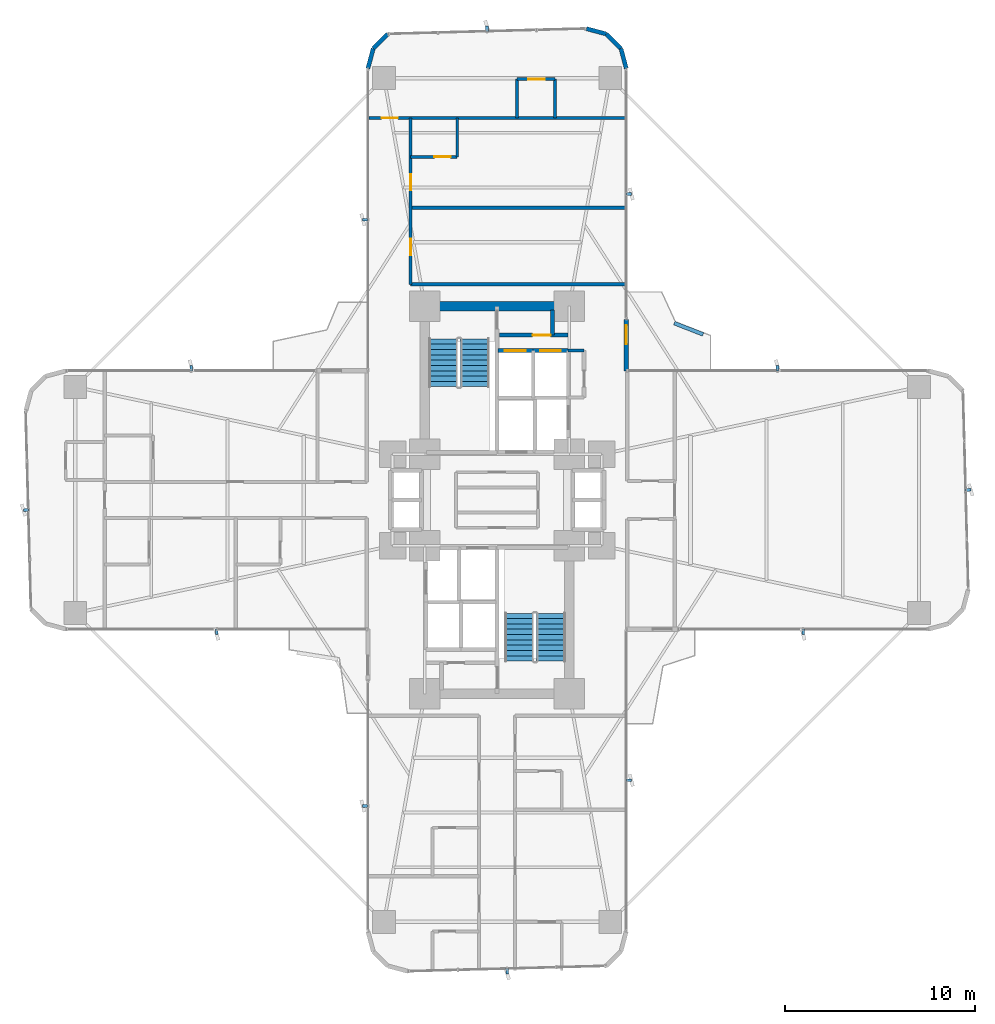
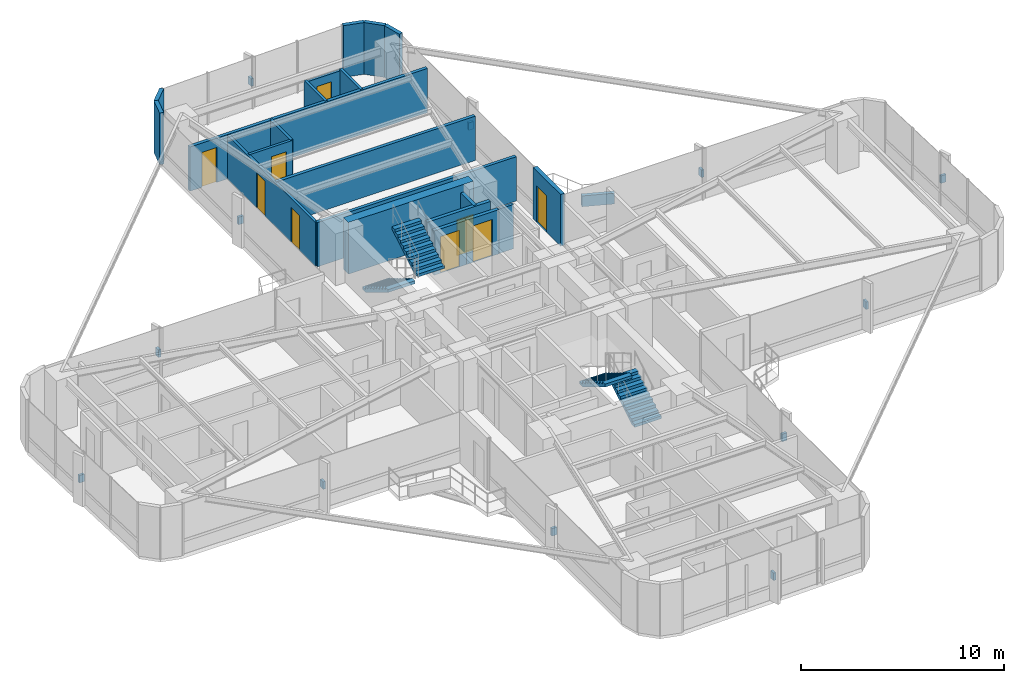
# One storey, part 24 of 25: 22 walls, 12 discrete accessories, 9 doors, 4 stair flights, 9 openings, 2 elements without a shape of their own.
"""IFC4 building model written with IfcOpenShell, lengths in metres."""

from ifc_helpers import new_model, si_unit, direction, frame, frame_2d, origin, origin_2d, place, context, subcontext, project, spatial, polyline, rectangle, outline, extrude, source, transform, mapped, material, layer, layer_set, type_object, element, fill, aggregate, save


model = new_model("IFC4")

# Units and contexts
model_context = context("Model", 3, precision=1e-05, world=origin(), true_north=direction((0.0, 1.0)))
body_context = subcontext(model_context, "Body", "Model", "MODEL_VIEW")
ifc_project = project(units=[si_unit("LENGTHUNIT", "METRE"), si_unit("AREAUNIT", "SQUARE_METRE"), si_unit("VOLUMEUNIT", "CUBIC_METRE"), si_unit("PLANEANGLEUNIT", "RADIAN"), si_unit("MASSUNIT", "GRAM", prefix="KILO")], contexts=[model_context])

# Site, building, storey
site_placement = place(None, origin())
site = spatial("IfcSite", under=ifc_project, at=site_placement, CompositionType="ELEMENT")
building_placement = place(site_placement, origin())
building = spatial("IfcBuilding", under=site, at=building_placement, Name="Sahyath Konkavel Grand Hotel", CompositionType="ELEMENT")
storey_placement = place(building_placement, frame((0.0, 0.0, 67.800048828125)))
storey = spatial("IfcBuildingStorey", under=building, at=storey_placement, Name="L18", CompositionType="ELEMENT", Elevation=67.800048828125)

# Wall
ifc_material_1 = material(Name="Concrete C70/85", Category="concrete")
ifc_layer_1 = layer(ifc_material_1, 0.5)
ifc_layer_set_1 = layer_set([ifc_layer_1], Name="Concrete C70/85")
wall_type_1 = type_object("IfcWallType", Name="CWALL-500", PredefinedType="SHEAR", material=ifc_layer_set_1)
wall_1_placement = place(storey_placement, frame((-3.550048828125, 10.199951171875, 0.0), z_axis=(0.0, 0.0, 1.0), x_axis=(1.0, 0.0, 0.0)))
element("IfcWall", 1, at=wall_1_placement, inside=storey, type_object=wall_type_1, Name="L18 North Core Shear Wall N", PredefinedType="SHEAR", context=body_context, shape_type="SweptSolid", body=[
    extrude(rectangle(XDim=7.10009765625, YDim=0.5, at=frame_2d((3.550048828125, 0.0))), origin(), (0.0, 0.0, 1.0), 3.10986328125),
])

# Wall, opening, door
ifc_material_2 = material(Name="Warm Buff Sandstone Insulated Concrete C40/50", Category="masonry")
ifc_layer_2 = layer(ifc_material_2, 0.219970703125)
ifc_layer_set_2 = layer_set([ifc_layer_2], Name="Warm Buff Sandstone Insulated Concrete C40/50")
wall_type_2 = type_object("IfcWallType", Name="WLL-BALC-THRESH", PredefinedType="STANDARD", material=ifc_layer_set_2)
wall_2_placement = place(storey_placement, frame((6.800048828125, 6.800048828125, 0.0), z_axis=(0.0, 0.0, 1.0), x_axis=(0.0, 1.0, 0.0)))
wall_2 = element("IfcWall", 2, at=wall_2_placement, inside=storey, type_object=wall_type_2, Name="L18 Winter-Garden Threshold Wall 8", PredefinedType="STANDARD", context=body_context, shape_type="SweptSolid", body=[
    extrude(rectangle(XDim=2.699951171875, YDim=0.219970703125, at=frame_2d((1.35009765625, 0.0))), origin(), (0.0, 0.0, 1.0), 3.10986328125),
])
opening_1_placement = place(wall_2_placement, frame((1.39990234375, 0.0, 0.0)))
opening_1 = element("IfcOpeningElement", 3, at=opening_1_placement, cuts=wall_2, Name="Opening D-TR1", PredefinedType="OPENING", context=body_context, shape_type="SweptSolid", body=[
    extrude(rectangle(XDim=1.0, YDim=2.199951171875, at=frame_2d((0.5, 1.10009765625))), frame((0.0, 0.1201171875, 0.0), z_axis=(0.0, -1.0, 0.0), x_axis=(1.0, 0.0, 0.0)), (0.0, 0.0, 1.0), 0.239990234375),
])
ifc_material_3 = material(Name="Anodised Bronze Aluminium & Low-E Glazing", Category="aluminium")
door_type_1 = type_object("IfcDoorType", Name="DR-TERRACE-1000", OperationType="NOTDEFINED", PredefinedType="DOOR", material=ifc_material_3)
shared_shape_1 = source(origin(), body_context, "Body", "SweptSolid", [
    extrude(rectangle(XDim=1.0, YDim=0.050048828125, at=origin_2d()), origin(), (0.0, 0.0, 1.0), 2.199951171875),
])
door_1_placement = place(opening_1_placement, frame((0.5, 0.0, 0.0)))
door_1 = element("IfcDoor", 4, at=door_1_placement, inside=storey, type_object=door_type_1, Name="L18 Winter-Garden Terrace Door 8", OperationType="SINGLE_SWING_LEFT", OverallHeight=2.199951171875, OverallWidth=1.0, PredefinedType="DOOR", context=body_context, shape_type="MappedRepresentation", body=[
    mapped(shared_shape_1, transform((0.0, 0.0, 0.0), scale=1.0)),
])
fill(opening_1, door_1)

# Walls
for number, where, z_axis, x_axis, name in (
    (5, (6.800048828125, 22.699951171875, 0.0), (0.0, 0.0, 1.0), (-0.25872485917, 0.965951058412, 0.0), "L18 Rounded Corner Sandstone Pier 9"),
    (6, (6.518798828125, 23.75, 0.0), (0.0, 0.0, 1.0), (-0.707106781187, 0.707106781187, 0.0), "L18 Rounded Corner Sandstone Pier 10"),
    (7, (5.75, 24.518798828125, 0.0), (0.0, 0.0, 1.0), (-0.965951058412, 0.25872485917, 0.0), "L18 Rounded Corner Sandstone Pier 11"),
    (8, (-5.75, 24.518798828125, 0.0), (0.0, 0.0, 1.0), (-0.707106781187, -0.707106781187, 0.0), "L18 Rounded Corner Sandstone Pier 13"),
    (9, (-6.518798828125, 23.75, 0.0), (0.0, 0.0, 1.0), (-0.25872485917, -0.965951058412, 0.0), "L18 Rounded Corner Sandstone Pier 14"),
):
    element("IfcWall", number, at=place(storey_placement, frame(where, z_axis=z_axis, x_axis=x_axis)), inside=storey, type_object=wall_type_2, Name=name, PredefinedType="STANDARD", context=body_context, shape_type="SweptSolid", body=[
        extrude(rectangle(XDim=1.087158203125, YDim=0.219970703125, at=frame_2d((0.54345703125, 0.0))), origin(), (0.0, 0.0, 1.0), 3.10986328125),
    ])

# Wall, opening, door
ifc_material_4 = material(Name="Concrete C40/50", Category="concrete")
ifc_layer_3 = layer(ifc_material_4, 0.199951171875)
ifc_layer_set_3 = layer_set([ifc_layer_3], Name="Concrete C40/50")
wall_type_3 = type_object("IfcWallType", Name="WLL-CORE-200", PredefinedType="SOLIDWALL", material=ifc_layer_set_3)
wall_3_placement = place(storey_placement, frame((0.050048828125, 7.860107421875, 0.0), z_axis=(0.0, 0.0, 1.0), x_axis=(1.0, 0.0, 0.0)))
wall_3 = element("IfcWall", 10, at=wall_3_placement, inside=storey, type_object=wall_type_3, Name="L18 Partition SH-PL1-N", PredefinedType="SOLIDWALL", context=body_context, shape_type="SweptSolid", body=[
    extrude(rectangle(XDim=1.849853515625, YDim=0.199951171875, at=frame_2d((0.9248046875, 0.0))), origin(), (0.0, 0.0, 1.0), 2.659912109375),
])
opening_2_placement = place(wall_3_placement, frame((0.360107421875, 0.0, 0.0)))
opening_2 = element("IfcOpeningElement", 11, at=opening_2_placement, cuts=wall_3, Name="Opening LD-11", PredefinedType="OPENING", context=body_context, shape_type="SweptSolid", body=[
    extrude(rectangle(XDim=1.10009765625, YDim=2.199951171875, at=frame_2d((0.550048828125, 1.10009765625))), frame((0.0, 0.10986328125, 0.0), z_axis=(0.0, -1.0, 0.0), x_axis=(1.0, 0.0, 0.0)), (0.0, 0.0, 1.0), 0.219970703125),
])
ifc_material_5 = material(Name="Bronze Lift Landing Door 1100")
door_type_2 = type_object("IfcDoorType", Name="DR-LIFT-1100", OperationType="DOUBLE_DOOR_SLIDING", PredefinedType="DOOR", material=ifc_material_5)
shared_shape_2 = source(origin(), body_context, "Body", "SweptSolid", [
    extrude(rectangle(XDim=1.10009765625, YDim=0.050048828125, at=origin_2d()), origin(), (0.0, 0.0, 1.0), 2.199951171875),
])
door_2_placement = place(opening_2_placement, frame((0.550048828125, 0.0, 0.0)))
door_2 = element("IfcDoor", 12, at=door_2_placement, inside=storey, type_object=door_type_2, Name="L18 Passenger Lift PL-1 Landing Door", OperationType="DOUBLE_DOOR_SLIDING", OverallHeight=2.199951171875, OverallWidth=1.10009765625, PredefinedType="DOOR", context=body_context, shape_type="MappedRepresentation", body=[
    mapped(shared_shape_2, transform((0.0, 0.0, 0.0), scale=1.0)),
])
fill(opening_2, door_2)

wall_4_placement = place(storey_placement, frame((1.89990234375, 7.860107421875, 0.0), z_axis=(0.0, 0.0, 1.0), x_axis=(1.0, 0.0, 0.0)))
wall_4 = element("IfcWall", 13, at=wall_4_placement, inside=storey, type_object=wall_type_3, Name="L18 Partition SH-PL2-N", PredefinedType="SOLIDWALL", context=body_context, shape_type="SweptSolid", body=[
    extrude(rectangle(XDim=1.840087890625, YDim=0.199951171875, at=frame_2d((0.919921875, 0.0))), origin(), (0.0, 0.0, 1.0), 2.659912109375),
])
opening_3_placement = place(wall_4_placement, frame((0.360107421875, 0.0, 0.0)))
opening_3 = element("IfcOpeningElement", 14, at=opening_3_placement, cuts=wall_4, Name="Opening LD-11", PredefinedType="OPENING", context=body_context, shape_type="SweptSolid", body=[
    extrude(rectangle(XDim=1.10009765625, YDim=2.199951171875, at=frame_2d((0.550048828125, 1.10009765625))), frame((0.0, 0.10986328125, 0.0), z_axis=(0.0, -1.0, 0.0), x_axis=(1.0, 0.0, 0.0)), (0.0, 0.0, 1.0), 0.219970703125),
])
door_3_placement = place(opening_3_placement, frame((0.550048828125, 0.0, 0.0)))
door_3 = element("IfcDoor", 15, at=door_3_placement, inside=storey, type_object=door_type_2, Name="L18 Passenger Lift PL-2 Landing Door", OperationType="DOUBLE_DOOR_SLIDING", OverallHeight=2.199951171875, OverallWidth=1.10009765625, PredefinedType="DOOR", context=body_context, shape_type="MappedRepresentation", body=[
    mapped(shared_shape_2, transform((0.0, 0.0, 0.0), scale=1.0)),
])
fill(opening_3, door_3)

wall_5_placement = place(storey_placement, frame((0.1201171875, 8.679931640625, 0.0), z_axis=(0.0, 0.0, 1.0), x_axis=(1.0, 0.0, 0.0)))
wall_5 = element("IfcWall", 16, at=wall_5_placement, inside=storey, type_object=wall_type_3, Name="L18 North FF Lobby Separation Wall", PredefinedType="SOLIDWALL", context=body_context, shape_type="SweptSolid", body=[
    extrude(rectangle(XDim=3.619873046875, YDim=0.199951171875, at=frame_2d((1.81005859375, 0.0))), origin(), (0.0, 0.0, 1.0), 2.659912109375),
])
opening_4_placement = place(wall_5_placement, frame((1.75, 0.0, 0.0)))
opening_4 = element("IfcOpeningElement", 17, at=opening_4_placement, cuts=wall_5, Name="Opening D-F12C", PredefinedType="OPENING", context=body_context, shape_type="SweptSolid", body=[
    extrude(rectangle(XDim=0.949951171875, YDim=2.14990234375, at=frame_2d((0.47509765625, 1.074951171875))), frame((0.0, 0.10986328125, 0.0), z_axis=(0.0, -1.0, 0.0), x_axis=(1.0, 0.0, 0.0)), (0.0, 0.0, 1.0), 0.219970703125),
])
ifc_material_6 = material(Name="Steel E350 Plant Fire Door", Category="steel")
door_type_3 = type_object("IfcDoorType", Name="DR-FD120-950", OperationType="NOTDEFINED", PredefinedType="DOOR", material=ifc_material_6)
shared_shape_3 = source(origin(), body_context, "Body", "SweptSolid", [
    extrude(rectangle(XDim=0.949951171875, YDim=0.050048828125, at=origin_2d()), origin(), (0.0, 0.0, 1.0), 2.14990234375),
])
door_4_placement = place(opening_4_placement, frame((0.47509765625, 0.0, 0.0)))
door_4 = element("IfcDoor", 18, at=door_4_placement, inside=storey, type_object=door_type_3, Name="L18 North Firefighting Lobby Door", OperationType="SINGLE_SWING_LEFT", OverallHeight=2.14990234375, OverallWidth=0.949951171875, PredefinedType="DOOR", context=body_context, shape_type="MappedRepresentation", body=[
    mapped(shared_shape_3, transform((0.0, 0.0, 0.0), scale=1.0)),
])
fill(opening_4, door_4)

# Walls
wall_6_placement = place(storey_placement, frame((2.919921875, 8.679931640625, 0.0), z_axis=(0.0, 0.0, 1.0), x_axis=(0.0, 1.0, 0.0)))
element("IfcWall", 19, at=wall_6_placement, inside=storey, type_object=wall_type_3, Name="L18 Partition NFF-E2", PredefinedType="SOLIDWALL", context=body_context, shape_type="SweptSolid", body=[
    extrude(rectangle(XDim=1.320068359375, YDim=0.199951171875, at=frame_2d((0.66015625, 0.0))), origin(), (0.0, 0.0, 1.0), 2.659912109375),
])
ifc_material_7 = material(Name="Twin-Stud Acoustic Gypsum Plasterboard Partition")
ifc_layer_4 = layer(ifc_material_7, 0.179931640625)
ifc_layer_set_4 = layer_set([ifc_layer_4], Name="Twin-Stud Acoustic Gypsum Plasterboard Partition")
wall_type_4 = type_object("IfcWallType", Name="WLL-DEMISE-180", PredefinedType="PARTITIONING", material=ifc_layer_set_4)
for number, where, z_axis, x_axis, name in (
    (20, (6.75, 11.35009765625, 0.0), (0.0, 0.0, 1.0), (-1.0, 0.0, 0.0), "L18 Partition N-G5I"),
    (21, (-4.550048828125, 15.375, 0.0), (0.0, 0.0, 1.0), (1.0, 0.0, 0.0), "L18 Partition N-ND1-DEM"),
):
    element("IfcWall", number, at=place(storey_placement, frame(where, z_axis=z_axis, x_axis=x_axis)), inside=storey, type_object=wall_type_4, Name=name, PredefinedType="PARTITIONING", context=body_context, shape_type="SweptSolid", body=[
        extrude(rectangle(XDim=11.300048828125, YDim=0.179931640625, at=frame_2d((5.64990234375, 0.0))), origin(), (0.0, 0.0, 1.0), 2.659912109375),
    ])

# Wall, opening, door
wall_7_placement = place(storey_placement, frame((6.75, 20.10009765625, 0.0), z_axis=(0.0, 0.0, 1.0), x_axis=(-1.0, 0.0, 0.0)))
wall_7 = element("IfcWall", 22, at=wall_7_placement, inside=storey, type_object=wall_type_4, Name="L18 Partition N-NTIP-END", PredefinedType="PARTITIONING", context=body_context, shape_type="SweptSolid", body=[
    extrude(rectangle(XDim=13.5, YDim=0.179931640625, at=frame_2d((6.75, 0.0))), origin(), (0.0, 0.0, 1.0), 2.659912109375),
])
opening_5_placement = place(wall_7_placement, frame((11.97509765625, 0.0, 0.0)))
opening_5 = element("IfcOpeningElement", 23, at=opening_5_placement, cuts=wall_7, Name="Opening D-F06D", PredefinedType="OPENING", context=body_context, shape_type="SweptSolid", body=[
    extrude(rectangle(XDim=0.85009765625, YDim=2.10009765625, at=frame_2d((0.425048828125, 1.050048828125))), frame((0.0, 0.10009765625, 0.0), z_axis=(0.0, -1.0, 0.0), x_axis=(1.0, 0.0, 0.0)), (0.0, 0.0, 1.0), 0.199951171875),
])
ifc_material_8 = material(Name="Fire-Rated Shaft Access Door")
door_type_4 = type_object("IfcDoorType", Name="DR-FD60-850", OperationType="NOTDEFINED", PredefinedType="DOOR", material=ifc_material_8)
shared_shape_4 = source(origin(), body_context, "Body", "SweptSolid", [
    extrude(rectangle(XDim=0.85009765625, YDim=0.050048828125, at=origin_2d()), origin(), (0.0, 0.0, 1.0), 2.10009765625),
])
door_5_placement = place(opening_5_placement, frame((0.425048828125, 0.0, 0.0)))
door_5 = element("IfcDoor", 24, at=door_5_placement, inside=storey, type_object=door_type_4, Name="L18 Door N-NTIP-ED", OperationType="SINGLE_SWING_RIGHT", OverallHeight=2.10009765625, OverallWidth=0.85009765625, PredefinedType="DOOR", context=body_context, shape_type="MappedRepresentation", body=[
    mapped(shared_shape_4, transform((0.0, 0.0, 0.0), scale=1.0)),
])
fill(opening_5, door_5)

# Wall
ifc_material_9 = material(Name="Fire-Rated Gypsum Plasterboard Partition")
ifc_layer_5 = layer(ifc_material_9, 0.14990234375)
ifc_layer_set_5 = layer_set([ifc_layer_5], Name="Fire-Rated Gypsum Plasterboard Partition")
wall_type_5 = type_object("IfcWallType", Name="WLL-PART-150", PredefinedType="PARTITIONING", material=ifc_layer_set_5)
wall_8_placement = place(storey_placement, frame((3.739990234375, 7.860107421875, 0.0), z_axis=(0.0, 0.0, 1.0), x_axis=(1.0, 0.0, 0.0)))
element("IfcWall", 25, at=wall_8_placement, inside=storey, type_object=wall_type_5, Name="L18 Partition NC-FLK-N", PredefinedType="PARTITIONING", context=body_context, shape_type="SweptSolid", body=[
    extrude(rectangle(XDim=0.840087890625, YDim=0.14990234375, at=frame_2d((0.419921875, 0.0))), origin(), (0.0, 0.0, 1.0), 2.659912109375),
])

# Wall, openings, doors
wall_9_placement = place(storey_placement, frame((-4.550048828125, 11.35009765625, 0.0), z_axis=(0.0, 0.0, 1.0), x_axis=(0.0, 1.0, 0.0)))
wall_9 = element("IfcWall", 26, at=wall_9_placement, inside=storey, type_object=wall_type_5, Name="L18 Partition N-G5W", PredefinedType="PARTITIONING", context=body_context, shape_type="SweptSolid", body=[
    extrude(rectangle(XDim=8.75, YDim=0.14990234375, at=frame_2d((4.375, 0.0))), origin(), (0.0, 0.0, 1.0), 2.6298828125),
])
opening_6_placement = place(wall_9_placement, frame((1.5380859375, 0.0, 0.0)))
opening_6 = element("IfcOpeningElement", 27, at=opening_6_placement, cuts=wall_9, Name="Opening D-F06D", PredefinedType="OPENING", context=body_context, shape_type="SweptSolid", body=[
    extrude(rectangle(XDim=0.85009765625, YDim=2.10009765625, at=frame_2d((0.425048828125, 1.050048828125))), frame((0.0, 0.0849609375, 0.0), z_axis=(0.0, -1.0, 0.0), x_axis=(1.0, 0.0, 0.0)), (0.0, 0.0, 1.0), 0.169921875),
])
opening_7_placement = place(wall_9_placement, frame((4.93701171875, 0.0, 0.0)))
opening_7 = element("IfcOpeningElement", 28, at=opening_7_placement, cuts=wall_9, Name="Opening D-F06D", PredefinedType="OPENING", context=body_context, shape_type="SweptSolid", body=[
    extrude(rectangle(XDim=0.85009765625, YDim=2.10009765625, at=frame_2d((0.425048828125, 1.050048828125))), frame((0.0, 0.0849609375, 0.0), z_axis=(0.0, -1.0, 0.0), x_axis=(1.0, 0.0, 0.0)), (0.0, 0.0, 1.0), 0.169921875),
])
door_6_placement = place(opening_6_placement, frame((0.425048828125, 0.0, 0.0)))
door_6 = element("IfcDoor", 29, at=door_6_placement, inside=storey, type_object=door_type_4, Name="L18 Door N-ND1-D", OperationType="SINGLE_SWING_RIGHT", OverallHeight=2.10009765625, OverallWidth=0.85009765625, PredefinedType="DOOR", context=body_context, shape_type="MappedRepresentation", body=[
    mapped(shared_shape_4, transform((0.0, 0.0, 0.0), scale=1.0)),
])
fill(opening_6, door_6)
door_7_placement = place(opening_7_placement, frame((0.425048828125, 0.0, 0.0)))
door_7 = element("IfcDoor", 30, at=door_7_placement, inside=storey, type_object=door_type_4, Name="L18 Door N-ND2-ED", OperationType="SINGLE_SWING_RIGHT", OverallHeight=2.10009765625, OverallWidth=0.85009765625, PredefinedType="DOOR", context=body_context, shape_type="MappedRepresentation", body=[
    mapped(shared_shape_4, transform((0.0, 0.0, 0.0), scale=1.0)),
])
fill(opening_7, door_7)

# Wall, opening, door
wall_10_placement = place(storey_placement, frame((-4.550048828125, 18.050048828125, 0.0), z_axis=(0.0, 0.0, 1.0), x_axis=(1.0, 0.0, 0.0)))
wall_10 = element("IfcWall", 31, at=wall_10_placement, inside=storey, type_object=wall_type_5, Name="L18 Partition N-ND2-BS", PredefinedType="PARTITIONING", context=body_context, shape_type="SweptSolid", body=[
    extrude(rectangle(XDim=2.449951171875, YDim=0.14990234375, at=frame_2d((1.22509765625, 0.0))), origin(), (0.0, 0.0, 1.0), 2.659912109375),
])
opening_8_placement = place(wall_10_placement, frame((1.25, 0.0, 0.0)))
opening_8 = element("IfcOpeningElement", 32, at=opening_8_placement, cuts=wall_10, Name="Opening D-BT85", PredefinedType="OPENING", context=body_context, shape_type="SweptSolid", body=[
    extrude(rectangle(XDim=0.85009765625, YDim=2.10009765625, at=frame_2d((0.425048828125, 1.050048828125))), frame((0.0, 0.0849609375, 0.0), z_axis=(0.0, -1.0, 0.0), x_axis=(1.0, 0.0, 0.0)), (0.0, 0.0, 1.0), 0.169921875),
])
ifc_material_10 = material(Name="Moisture-Resistant Teak Bathroom Door")
door_type_5 = type_object("IfcDoorType", Name="DR-BATH-850", OperationType="NOTDEFINED", PredefinedType="DOOR", material=ifc_material_10)
door_8_placement = place(opening_8_placement, frame((0.425048828125, 0.0, 0.0)))
door_8 = element("IfcDoor", 33, at=door_8_placement, inside=storey, type_object=door_type_5, Name="L18 Door N-ND2-BD", OperationType="SINGLE_SWING_LEFT", OverallHeight=2.10009765625, OverallWidth=0.85009765625, PredefinedType="DOOR", context=body_context, shape_type="MappedRepresentation", body=[
    mapped(shared_shape_4, transform((0.0, 0.0, 0.0), scale=1.0)),
])
fill(opening_8, door_8)

# Walls
wall_11_placement = place(storey_placement, frame((-2.10009765625, 18.050048828125, 0.0), z_axis=(0.0, 0.0, 1.0), x_axis=(0.0, 1.0, 0.0)))
element("IfcWall", 34, at=wall_11_placement, inside=storey, type_object=wall_type_5, Name="L18 Partition N-ND2-BF", PredefinedType="PARTITIONING", context=body_context, shape_type="SweptSolid", body=[
    extrude(rectangle(XDim=2.050048828125, YDim=0.14990234375, at=frame_2d((1.02490234375, 0.0))), origin(), (0.0, 0.0, 1.0), 2.659912109375),
])
for number, where, z_axis, x_axis, name in (
    (35, (1.050048828125, 20.10009765625, 0.0), (0.0, 0.0, 1.0), (0.0, 1.0, 0.0), "L18 Partition N-NTIP-BN"),
    (36, (3.050048828125, 20.10009765625, 0.0), (0.0, 0.0, 1.0), (0.0, 1.0, 0.0), "L18 Partition N-NTIP-BS"),
):
    element("IfcWall", number, at=place(storey_placement, frame(where, z_axis=z_axis, x_axis=x_axis)), inside=storey, type_object=wall_type_5, Name=name, PredefinedType="PARTITIONING", context=body_context, shape_type="SweptSolid", body=[
        extrude(rectangle(XDim=2.0498046875, YDim=0.14990234375, at=frame_2d((1.02490234375, 0.0))), origin(), (0.0, 0.0, 1.0), 2.659912109375),
    ])

# Wall, opening, door
wall_12_placement = place(storey_placement, frame((3.050048828125, 22.14990234375, 0.0), z_axis=(0.0, 0.0, 1.0), x_axis=(-1.0, 0.0, 0.0)))
wall_12 = element("IfcWall", 37, at=wall_12_placement, inside=storey, type_object=wall_type_5, Name="L18 Partition N-NTIP-BE", PredefinedType="PARTITIONING", context=body_context, shape_type="SweptSolid", body=[
    extrude(rectangle(XDim=2.0, YDim=0.14990234375, at=frame_2d((1.0, 0.0))), origin(), (0.0, 0.0, 1.0), 2.579833984375),
])
opening_9_placement = place(wall_12_placement, frame((0.550048828125, 0.0, 0.0)))
opening_9 = element("IfcOpeningElement", 38, at=opening_9_placement, cuts=wall_12, Name="Opening D-BT85", PredefinedType="OPENING", context=body_context, shape_type="SweptSolid", body=[
    extrude(rectangle(XDim=0.85009765625, YDim=2.10009765625, at=frame_2d((0.425048828125, 1.050048828125))), frame((0.0, 0.0849609375, 0.0), z_axis=(0.0, -1.0, 0.0), x_axis=(1.0, 0.0, 0.0)), (0.0, 0.0, 1.0), 0.169921875),
])
door_9_placement = place(opening_9_placement, frame((0.425048828125, 0.0, 0.0)))
door_9 = element("IfcDoor", 39, at=door_9_placement, inside=storey, type_object=door_type_5, Name="L18 Door N-NTIP-BD", OperationType="SINGLE_SWING_LEFT", OverallHeight=2.10009765625, OverallWidth=0.85009765625, PredefinedType="DOOR", context=body_context, shape_type="MappedRepresentation", body=[
    mapped(shared_shape_4, transform((0.0, 0.0, 0.0), scale=1.0)),
])
fill(opening_9, door_9)

# Wall
ifc_material_11 = material(Name="Warm Buff Sandstone Planter Wall", Category="masonry")
ifc_layer_6 = layer(ifc_material_11, 0.199951171875)
ifc_layer_set_6 = layer_set([ifc_layer_6], Name="Warm Buff Sandstone Planter Wall")
wall_type_6 = type_object("IfcWallType", Name="WLL-PLANTER-200", PredefinedType="PARAPET", material=ifc_layer_set_6)
wall_13_placement = place(storey_placement, frame((10.842529296875, 8.711669921875, 0.0), z_axis=(0.0, 0.0, 1.0), x_axis=(-0.931267061067, 0.364337290119, 0.0)))
element("IfcWall", 40, at=wall_13_placement, inside=storey, type_object=wall_type_6, Name="L18 Sky-Garden Stone Planter PLANTER NE", PredefinedType="PARAPET", context=body_context, shape_type="SweptSolid", body=[
    extrude(rectangle(XDim=1.631591796875, YDim=0.199951171875, at=frame_2d((0.81591796875, 0.0))), origin(), (0.0, 0.0, 1.0), 0.64990234375),
])

# Stair, stair flights
stair_type = type_object("IfcStairType", Name="STR-ST16-335", PredefinedType="HALF_TURN_STAIR", material=ifc_material_4)
stair_1_placement = place(storey_placement, origin())
stair_1 = element("IfcStair", 41, at=stair_1_placement, inside=storey, type_object=stair_type, Name="L18 North Core Smokeproof Exit Stair ST-1", PredefinedType="HALF_TURN_STAIR")
stair_flight_type = type_object("IfcStairFlightType", Name="STF-ST16-335", PredefinedType="STRAIGHT", material=ifc_material_4)
stair_flight_1_placement = place(storey_placement, frame((-2.840087890625, 8.47998046875, 0.0), z_axis=(0.0, 0.0, 1.0), x_axis=(0.0, -1.0, 0.0)))
stair_flight_1 = element("IfcStairFlight", 42, at=stair_flight_1_placement, type_object=stair_flight_type, Name="ST-1 flight 1", NumberOfRisers=10, NumberOfTreads=9, PredefinedType="STRAIGHT", RiserHeight=0.1675, TreadLength=0.28, context=body_context, shape_type="SweptSolid", body=[
    extrude(outline(polyline([(0.0, 0.0), (0.0, 0.16748046875), (0.280029296875, 0.16748046875), (0.280029296875, 0.3349609375), (0.56005859375, 0.3349609375), (0.56005859375, 0.50244140625), (0.840087890625, 0.50244140625), (0.840087890625, 0.669921875), (1.1201171875, 0.669921875), (1.1201171875, 0.83740234375), (1.39990234375, 0.83740234375), (1.39990234375, 1.0048828125), (1.679931640625, 1.0048828125), (1.679931640625, 1.172607421875), (1.9599609375, 1.172607421875), (1.9599609375, 1.340087890625), (2.239990234375, 1.340087890625), (2.239990234375, 1.507568359375), (2.52001953125, 1.507568359375), (2.52001953125, 1.675048828125), (2.52001953125, 1.332763671875), (0.2919921875, 0.0), (0.0, 0.0)])), frame((0.0, 0.760009765625, 0.0), z_axis=(0.0, -1.0, 0.0), x_axis=(1.0, 0.0, 0.0)), (0.0, 0.0, 1.0), 1.52001953125),
])
stair_flight_2_placement = place(storey_placement, frame((-1.159912109375, 5.9599609375, 1.675048828125), z_axis=(0.0, 0.0, 1.0), x_axis=(0.0, 1.0, 0.0)))
stair_flight_2 = element("IfcStairFlight", 43, at=stair_flight_2_placement, type_object=stair_flight_type, Name="ST-1 flight 2", NumberOfRisers=10, NumberOfTreads=9, PredefinedType="STRAIGHT", RiserHeight=0.1675, TreadLength=0.28, context=body_context, shape_type="SweptSolid", body=[
    extrude(outline(polyline([(0.0, 0.0), (0.0, 0.16748046875), (0.280029296875, 0.16748046875), (0.280029296875, 0.3349609375), (0.56005859375, 0.3349609375), (0.56005859375, 0.50244140625), (0.840087890625, 0.50244140625), (0.840087890625, 0.669921875), (1.1201171875, 0.669921875), (1.1201171875, 0.83740234375), (1.39990234375, 0.83740234375), (1.39990234375, 1.0048828125), (1.679931640625, 1.0048828125), (1.679931640625, 1.172607421875), (1.9599609375, 1.172607421875), (1.9599609375, 1.340087890625), (2.239990234375, 1.340087890625), (2.239990234375, 1.507568359375), (2.52001953125, 1.507568359375), (2.52001953125, 1.675048828125), (2.52001953125, 1.332763671875), (0.2919921875, 0.0), (0.0, 0.0)])), frame((0.0, 0.760009765625, 0.0), z_axis=(0.0, -1.0, 0.0), x_axis=(1.0, 0.0, 0.0)), (0.0, 0.0, 1.0), 1.52001953125),
])
aggregate(stair_1, [stair_flight_1, stair_flight_2])

stair_2_placement = place(storey_placement, origin())
stair_2 = element("IfcStair", 44, at=stair_2_placement, inside=storey, type_object=stair_type, Name="L18 South Core Smokeproof Exit Stair ST-2", PredefinedType="HALF_TURN_STAIR")
stair_flight_3_placement = place(storey_placement, frame((2.840087890625, -8.47998046875, 0.0), z_axis=(0.0, 0.0, 1.0), x_axis=(0.0, 1.0, 0.0)))
stair_flight_3 = element("IfcStairFlight", 45, at=stair_flight_3_placement, type_object=stair_flight_type, Name="ST-2 flight 1", NumberOfRisers=10, NumberOfTreads=9, PredefinedType="STRAIGHT", RiserHeight=0.1675, TreadLength=0.28, context=body_context, shape_type="SweptSolid", body=[
    extrude(outline(polyline([(0.0, 0.0), (0.0, 0.16748046875), (0.280029296875, 0.16748046875), (0.280029296875, 0.3349609375), (0.56005859375, 0.3349609375), (0.56005859375, 0.50244140625), (0.840087890625, 0.50244140625), (0.840087890625, 0.669921875), (1.1201171875, 0.669921875), (1.1201171875, 0.83740234375), (1.39990234375, 0.83740234375), (1.39990234375, 1.0048828125), (1.679931640625, 1.0048828125), (1.679931640625, 1.172607421875), (1.9599609375, 1.172607421875), (1.9599609375, 1.340087890625), (2.239990234375, 1.340087890625), (2.239990234375, 1.507568359375), (2.52001953125, 1.507568359375), (2.52001953125, 1.675048828125), (2.52001953125, 1.332763671875), (0.2919921875, 0.0), (0.0, 0.0)])), frame((0.0, 0.760009765625, 0.0), z_axis=(0.0, -1.0, 0.0), x_axis=(1.0, 0.0, 0.0)), (0.0, 0.0, 1.0), 1.52001953125),
])
stair_flight_4_placement = place(storey_placement, frame((1.159912109375, -5.9599609375, 1.675048828125), z_axis=(0.0, 0.0, 1.0), x_axis=(0.0, -1.0, 0.0)))
stair_flight_4 = element("IfcStairFlight", 46, at=stair_flight_4_placement, type_object=stair_flight_type, Name="ST-2 flight 2", NumberOfRisers=10, NumberOfTreads=9, PredefinedType="STRAIGHT", RiserHeight=0.1675, TreadLength=0.28, context=body_context, shape_type="SweptSolid", body=[
    extrude(outline(polyline([(0.0, 0.0), (0.0, 0.16748046875), (0.280029296875, 0.16748046875), (0.280029296875, 0.3349609375), (0.56005859375, 0.3349609375), (0.56005859375, 0.50244140625), (0.840087890625, 0.50244140625), (0.840087890625, 0.669921875), (1.1201171875, 0.669921875), (1.1201171875, 0.83740234375), (1.39990234375, 0.83740234375), (1.39990234375, 1.0048828125), (1.679931640625, 1.0048828125), (1.679931640625, 1.172607421875), (1.9599609375, 1.172607421875), (1.9599609375, 1.340087890625), (2.239990234375, 1.340087890625), (2.239990234375, 1.507568359375), (2.52001953125, 1.507568359375), (2.52001953125, 1.675048828125), (2.52001953125, 1.332763671875), (0.2919921875, 0.0), (0.0, 0.0)])), frame((0.0, 0.760009765625, 0.0), z_axis=(0.0, -1.0, 0.0), x_axis=(1.0, 0.0, 0.0)), (0.0, 0.0, 1.0), 1.52001953125),
])
aggregate(stair_2, [stair_flight_3, stair_flight_4])

# Discrete accessories
ifc_material_12 = material(Name="Steel E350", Category="steel")
discrete_accessory_type = type_object("IfcDiscreteAccessoryType", Name="ACC-FIN-BRACKET", PredefinedType="BRACKET", material=ifc_material_12)
shared_shape_5 = source(origin(), body_context, "Body", "SweptSolid", [
    extrude(rectangle(XDim=0.280029296875, YDim=0.139892578125, at=origin_2d()), origin(), (0.0, 0.0, 1.0), 0.449951171875),
])
for number, where, z_axis, x_axis, name in (
    (47, (16.10009765625, -6.929931640625, 1.330078125), (0.0, 0.0, 1.0), (0.0, -1.0, 0.0), "L18 Fin Support Bracket F0-1"),
    (48, (24.789306640625, 0.528564453125, 1.330078125), (0.0, 0.0, 1.0), (0.999637867691, 0.026909728301, 0.0), "L18 Fin Support Bracket F4-2"),
    (49, (14.75, 6.929931640625, 1.330078125), (0.0, 0.0, 1.0), (0.0, 1.0, 0.0), "L18 Fin Support Bracket F7-1"),
    (50, (6.929931640625, 16.10009765625, 1.330078125), (0.0, 0.0, 1.0), (1.0, 0.0, 0.0), "L18 Fin Support Bracket F8-1"),
    (51, (-0.528564453125, 24.789306640625, 1.330078125), (0.0, 0.0, 1.0), (-0.026909728301, 0.999637867691, 0.0), "L18 Fin Support Bracket F12-2"),
    (52, (-6.929931640625, 14.75, 1.330078125), (0.0, 0.0, 1.0), (-1.0, 0.0, 0.0), "L18 Fin Support Bracket F15-1"),
    (53, (-16.10009765625, 6.929931640625, 1.330078125), (0.0, 0.0, 1.0), (0.0, 1.0, 0.0), "L18 Fin Support Bracket F16-1"),
    (54, (-24.789306640625, -0.528564453125, 1.330078125), (0.0, 0.0, 1.0), (-0.999637867691, -0.026909728301, 0.0), "L18 Fin Support Bracket F20-2"),
    (55, (-14.75, -6.929931640625, 1.330078125), (0.0, 0.0, 1.0), (0.0, -1.0, 0.0), "L18 Fin Support Bracket F23-1"),
    (56, (-6.929931640625, -16.10009765625, 1.330078125), (0.0, 0.0, 1.0), (-1.0, 0.0, 0.0), "L18 Fin Support Bracket F24-1"),
    (57, (0.528564453125, -24.789306640625, 1.330078125), (0.0, 0.0, 1.0), (0.026909728301, -0.999637867691, 0.0), "L18 Fin Support Bracket F28-2"),
    (58, (6.929931640625, -14.75, 1.330078125), (0.0, 0.0, 1.0), (1.0, 0.0, 0.0), "L18 Fin Support Bracket F31-1"),
):
    element("IfcDiscreteAccessory", number, at=place(storey_placement, frame(where, z_axis=z_axis, x_axis=x_axis)), inside=storey, type_object=discrete_accessory_type, Name=name, PredefinedType="BRACKET", context=body_context, shape_type="MappedRepresentation", body=[
        mapped(shared_shape_5, transform((0.0, 0.0, 0.0), scale=1.0)),
    ])

save(model, "model.ifc")
